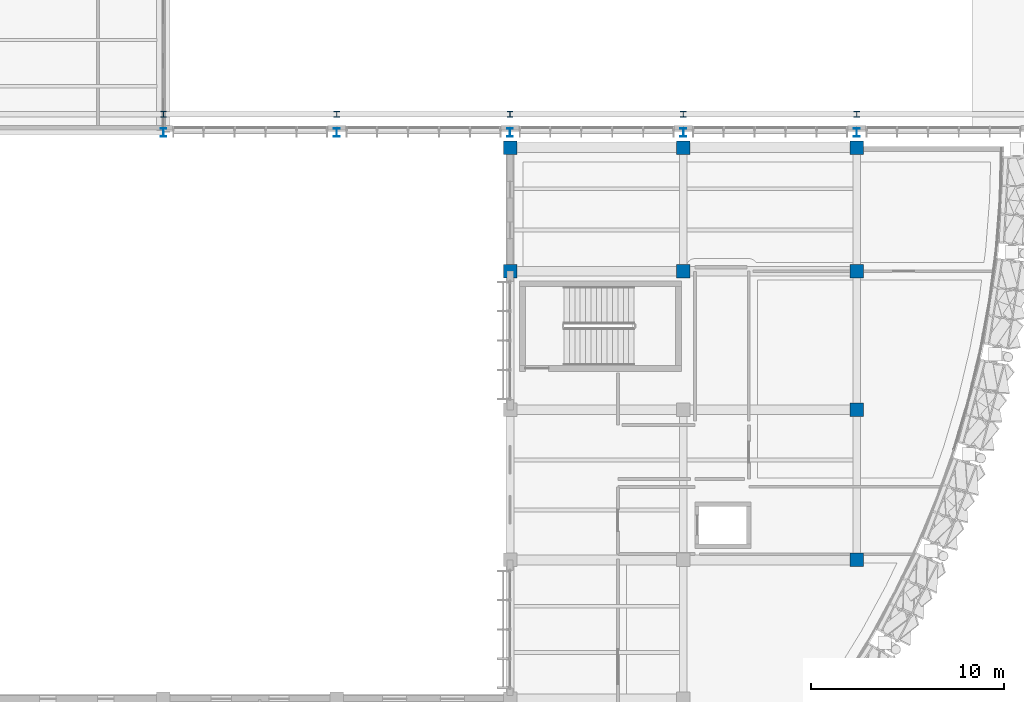
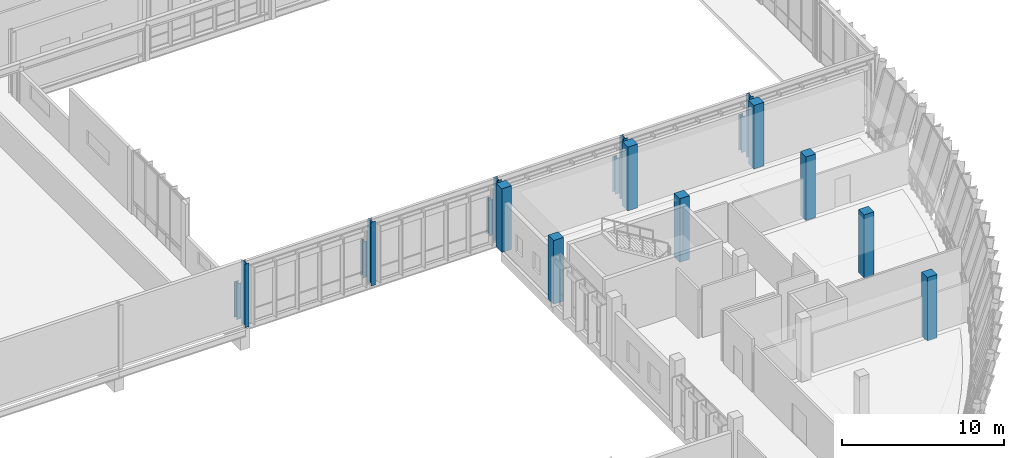
# One storey, part 6 of 177: 18 columns.
"""IFC4 building model written with IfcOpenShell, lengths in metres."""

from ifc_helpers import new_model, si_unit, direction, frame, origin, origin_2d, place, context, subcontext, project, spatial, rectangle, i_section, extrude, material, material_profile, profile_set, type_object, element, save


model = new_model("IFC4")

# Units and contexts
model_context = context("Model", 3, precision=1e-05, world=origin(), true_north=direction((0.0, 1.0)))
body_context = subcontext(model_context, "Body", "Model", "MODEL_VIEW")
ifc_project = project(units=[si_unit("LENGTHUNIT", "METRE"), si_unit("AREAUNIT", "SQUARE_METRE"), si_unit("VOLUMEUNIT", "CUBIC_METRE"), si_unit("PLANEANGLEUNIT", "RADIAN"), si_unit("MASSUNIT", "GRAM", prefix="KILO")], contexts=[model_context])

# Site, building, storey
site_placement = place(None, origin())
site = spatial("IfcSite", under=ifc_project, at=site_placement, CompositionType="ELEMENT")
building_placement = place(site_placement, origin())
building = spatial("IfcBuilding", under=site, at=building_placement, Name="Chiffa Square Polytechnic", CompositionType="ELEMENT")
storey_placement = place(building_placement, frame((0.0, 0.0, 4.800048828125)))
storey = spatial("IfcBuildingStorey", under=building, at=storey_placement, Name="L01", CompositionType="ELEMENT", Elevation=4.800048828125)

# Columns
ifc_material_1 = material(Name="Concrete C40/50", Category="concrete")
ifc_material_profile_1 = material_profile(ifc_material_1, rectangle(XDim=0.699951171875, YDim=0.699951171875, at=origin_2d()), Name="RC 700x700")
ifc_profile_set_1 = profile_set([ifc_material_profile_1], Name="Concrete C40/50")
column_type_1 = type_object("IfcColumnType", Name="COL-RC-700", PredefinedType="COLUMN", material=ifc_profile_set_1)
for number, where, z_axis, x_axis, name in (
    (1, (148.199951171875, 51.0, 0.0), (0.0, 0.0, 1.0), (1.0, 0.0, 0.0), "Column C-V1-L01-1482-0510"),
    (2, (148.199951171875, 57.419921875, 0.0), (0.0, 0.0, 1.0), (1.0, 0.0, 0.0), "Column C-V1-L01-1482-0574"),
    (3, (157.199951171875, 51.0, 0.0), (0.0, 0.0, 1.0), (1.0, 0.0, 0.0), "Column C-V1-L01-1572-0510"),
    (4, (157.199951171875, 57.419921875, 0.0), (0.0, 0.0, 1.0), (1.0, 0.0, 0.0), "Column C-V1-L01-1572-0574"),
    (5, (166.199951171875, 36.0, 0.0), (0.0, 0.0, 1.0), (1.0, 0.0, 0.0), "Column C-V1-L01-1662-0360"),
    (6, (166.199951171875, 43.800048828125, 0.0), (0.0, 0.0, 1.0), (1.0, 0.0, 0.0), "Column C-V1-L01-1662-0438"),
    (7, (166.199951171875, 51.0, 0.0), (0.0, 0.0, 1.0), (1.0, 0.0, 0.0), "Column C-V1-L01-1662-0510"),
    (8, (166.199951171875, 57.419921875, 0.0), (0.0, 0.0, 1.0), (1.0, 0.0, 0.0), "Column C-V1-L01-1662-0574"),
):
    element("IfcColumn", number, at=place(storey_placement, frame(where, z_axis=z_axis, x_axis=x_axis)), inside=storey, type_object=column_type_1, Name=name, PredefinedType="COLUMN", context=body_context, shape_type="SweptSolid", body=[
        extrude(rectangle(XDim=0.699951171875, YDim=0.699951171875, at=origin_2d()), origin(), (0.0, 0.0, 1.0), 4.800048828125),
    ])
ifc_material_2 = material(Name="Steel S355", Category="steel")
ifc_material_profile_2 = material_profile(ifc_material_2, i_section(OverallWidth=0.300048828125, OverallDepth=0.320068359375, WebThickness=0.011474609375, FlangeThickness=0.0205078125, FilletRadius=0.027099609375, at=origin_2d()), Name="HEB 320")
ifc_profile_set_2 = profile_set([ifc_material_profile_2], Name="Steel S355")
column_type_2 = type_object("IfcColumnType", Name="COL-STL-HEB320", PredefinedType="COLUMN", material=ifc_profile_set_2)
for number, where, z_axis, x_axis, name in (
    (9, (130.199951171875, 59.14990234375, 0.0), (0.0, 0.0, 1.0), (1.0, 0.0, 0.0), "Crane stanchion upper post C-V2-CRN-L01-130-S"),
    (10, (139.199951171875, 59.14990234375, 0.0), (0.0, 0.0, 1.0), (1.0, 0.0, 0.0), "Crane stanchion upper post C-V2-CRN-L01-139-S"),
    (11, (148.199951171875, 59.14990234375, 0.0), (0.0, 0.0, 1.0), (1.0, 0.0, 0.0), "Crane stanchion upper post C-V2-CRN-L01-148-S"),
    (12, (157.199951171875, 59.14990234375, 0.0), (0.0, 0.0, 1.0), (1.0, 0.0, 0.0), "Crane stanchion upper post C-V2-CRN-L01-157-S"),
    (13, (166.199951171875, 59.14990234375, 0.0), (0.0, 0.0, 1.0), (1.0, 0.0, 0.0), "Crane stanchion upper post C-V2-CRN-L01-166-S"),
):
    element("IfcColumn", number, at=place(storey_placement, frame(where, z_axis=z_axis, x_axis=x_axis)), inside=storey, type_object=column_type_2, Name=name, PredefinedType="COLUMN", context=body_context, shape_type="SweptSolid", body=[
        extrude(i_section(OverallWidth=0.300048828125, OverallDepth=0.320068359375, WebThickness=0.011474609375, FlangeThickness=0.0205078125, FilletRadius=0.027099609375, at=origin_2d()), origin(), (0.0, 0.0, 1.0), 2.699951171875),
    ])
ifc_material_profile_3 = material_profile(ifc_material_2, i_section(OverallWidth=0.300048828125, OverallDepth=0.449951171875, WebThickness=0.013916015625, FlangeThickness=0.02587890625, FilletRadius=0.027099609375, at=origin_2d()), Name="HEB 450")
ifc_profile_set_3 = profile_set([ifc_material_profile_3], Name="Steel S355")
column_type_3 = type_object("IfcColumnType", Name="COL-STL-HEB450", PredefinedType="COLUMN", material=ifc_profile_set_3)
for number, where, z_axis, x_axis, name in (
    (14, (130.199951171875, 58.199951171875, 0.0), (0.0, 0.0, 1.0), (1.0, 0.0, 0.0), "Column C-V2-L01-1302-0582"),
    (15, (139.199951171875, 58.199951171875, 0.0), (0.0, 0.0, 1.0), (1.0, 0.0, 0.0), "Column C-V2-L01-1392-0582"),
    (16, (148.199951171875, 58.199951171875, 0.0), (0.0, 0.0, 1.0), (1.0, 0.0, 0.0), "Column C-V2-L01-1482-0582"),
    (17, (157.199951171875, 58.199951171875, 0.0), (0.0, 0.0, 1.0), (1.0, 0.0, 0.0), "Column C-V2-L01-1572-0582"),
    (18, (166.199951171875, 58.199951171875, 0.0), (0.0, 0.0, 1.0), (1.0, 0.0, 0.0), "Column C-V2-L01-1662-0582"),
):
    element("IfcColumn", number, at=place(storey_placement, frame(where, z_axis=z_axis, x_axis=x_axis)), inside=storey, type_object=column_type_3, Name=name, PredefinedType="COLUMN", context=body_context, shape_type="SweptSolid", body=[
        extrude(i_section(OverallWidth=0.300048828125, OverallDepth=0.449951171875, WebThickness=0.013916015625, FlangeThickness=0.02587890625, FilletRadius=0.027099609375, at=origin_2d()), origin(), (0.0, 0.0, 1.0), 4.800048828125),
    ])

save(model, "model.ifc")
